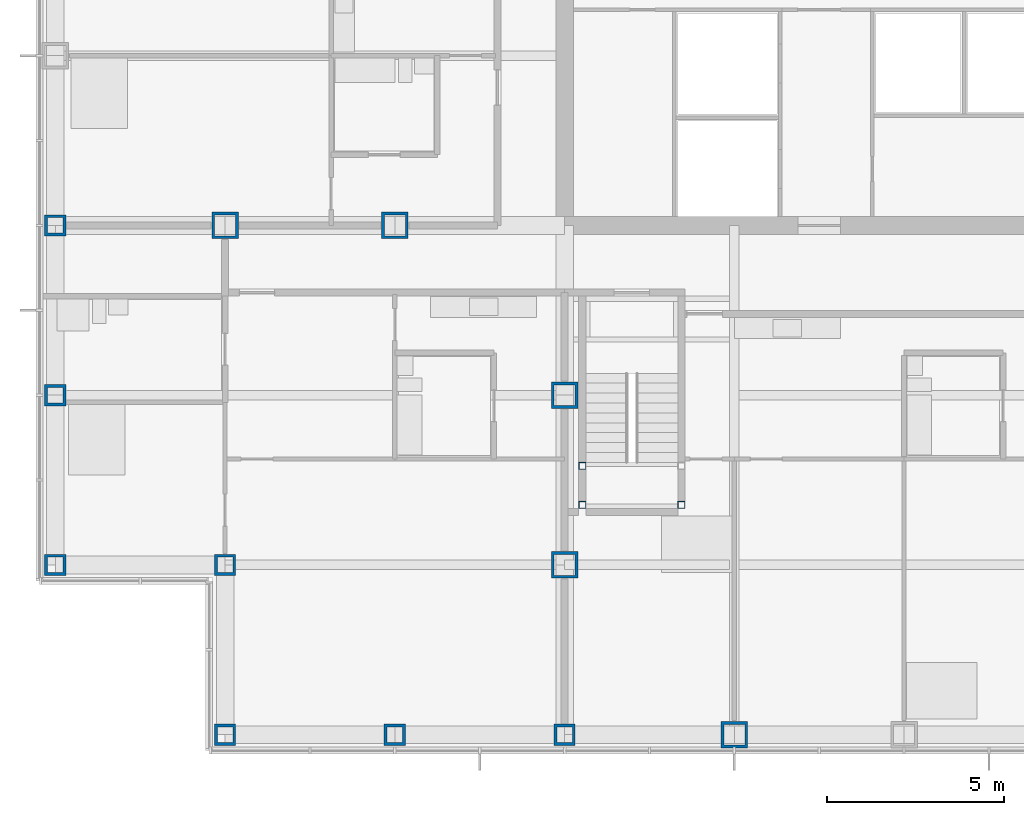
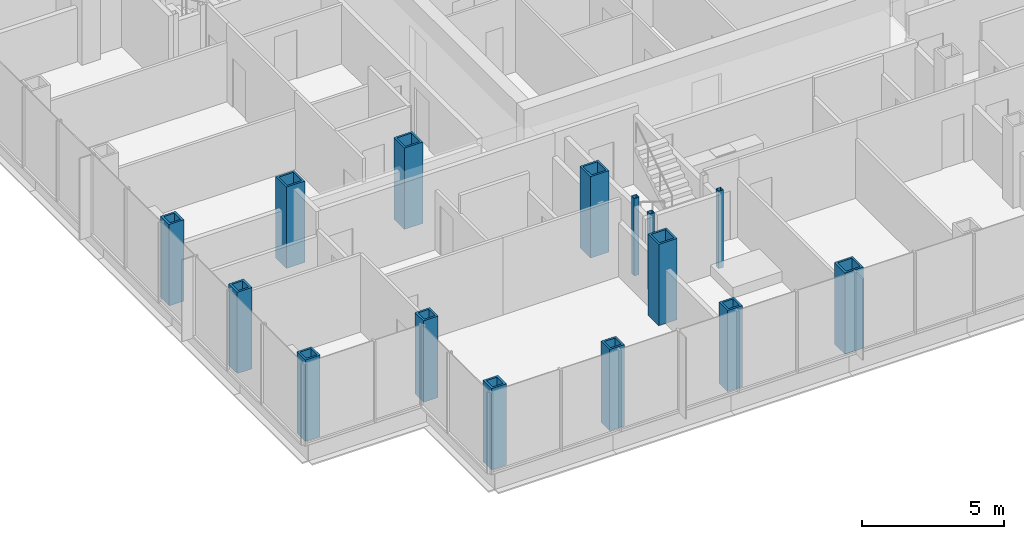
# One storey, part 1 of 21: 15 columns.
"""IFC4 building model written with IfcOpenShell, lengths in metres."""

from ifc_helpers import new_model, si_unit, direction, frame, origin, origin_2d, place, context, subcontext, project, spatial, hollow_rectangle, extrude, material, material_profile, profile_set, type_object, element, save


model = new_model("IFC4")

# Units and contexts
model_context = context("Model", 3, precision=1e-05, world=origin(), true_north=direction((0.0, 1.0)))
body_context = subcontext(model_context, "Body", "Model", "MODEL_VIEW")
ifc_project = project(units=[si_unit("LENGTHUNIT", "METRE"), si_unit("AREAUNIT", "SQUARE_METRE"), si_unit("VOLUMEUNIT", "CUBIC_METRE"), si_unit("PLANEANGLEUNIT", "RADIAN"), si_unit("MASSUNIT", "GRAM", prefix="KILO")], contexts=[model_context])

# Site, building, storey
site_placement = place(None, origin())
site = spatial("IfcSite", under=ifc_project, at=site_placement, CompositionType="ELEMENT")
building_placement = place(site_placement, origin())
building = spatial("IfcBuilding", under=site, at=building_placement, Name="Kvirike Care Tower", CompositionType="ELEMENT")
storey_placement = place(building_placement, frame((0.0, 0.0, 62.0)))
storey = spatial("IfcBuildingStorey", under=building, at=storey_placement, Name="L16", CompositionType="ELEMENT", Elevation=62.0)

# Columns
ifc_material_1 = material(Name="Steel S460", Category="steel")
ifc_material_profile_1 = material_profile(ifc_material_1, hollow_rectangle(XDim=0.60009765625, YDim=0.60009765625, WallThickness=0.080078125, at=origin_2d()), Name="BX 600x600x80")
ifc_profile_set_1 = profile_set([ifc_material_profile_1], Name="Steel S460")
column_type_1 = type_object("IfcColumnType", Name="COLUMN BX 600x600x80", PredefinedType="COLUMN", material=ifc_profile_set_1)
for number, where, z_axis, x_axis, name in (
    (1, (0.0, 19.199951171875, 0.0), (0.0, 0.0, 1.0), (0.0, 1.0, 0.0), "Column E3 L16"),
    (2, (0.0, 24.0, 0.0), (0.0, 0.0, 1.0), (1.0, 0.0, 0.0), "Column F3 L16"),
    (3, (0.0, 28.800048828125, 0.0), (0.0, 0.0, 1.0), (0.0, 1.0, 0.0), "Column G3 L16"),
    (4, (4.800048828125, 14.39990234375, 0.0), (0.0, 0.0, 1.0), (0.0, 1.0, 0.0), "Column D4 L16"),
    (5, (4.800048828125, 19.199951171875, 0.0), (0.0, 0.0, 1.0), (0.0, 1.0, 0.0), "Column E4 L16"),
    (6, (9.60009765625, 14.39990234375, 0.0), (0.0, 0.0, 1.0), (0.0, 1.0, 0.0), "Column D5 L16"),
    (7, (14.39990234375, 14.39990234375, 0.0), (0.0, 0.0, 1.0), (0.0, 1.0, 0.0), "Column D6 L16"),
):
    element("IfcColumn", number, at=place(storey_placement, frame(where, z_axis=z_axis, x_axis=x_axis)), inside=storey, type_object=column_type_1, Name=name, PredefinedType="COLUMN", context=body_context, shape_type="SweptSolid", body=[
        extrude(hollow_rectangle(XDim=0.60009765625, YDim=0.60009765625, WallThickness=0.080078125, at=origin_2d()), origin(), (0.0, 0.0, 1.0), 3.5),
    ])
ifc_material_2 = material(Name="Steel S460", Category="steel")
ifc_material_profile_2 = material_profile(ifc_material_2, hollow_rectangle(XDim=0.75, YDim=0.75, WallThickness=0.080078125, at=origin_2d()), Name="BX 750x750x80")
ifc_profile_set_2 = profile_set([ifc_material_profile_2], Name="Steel S460")
column_type_2 = type_object("IfcColumnType", Name="COLUMN BX 750x750x80", PredefinedType="COLUMN", material=ifc_profile_set_2)
for number, where, z_axis, x_axis, name in (
    (8, (4.800048828125, 28.800048828125, 0.0), (0.0, 0.0, 1.0), (0.0, 1.0, 0.0), "Column G4 L16"),
    (9, (9.60009765625, 28.800048828125, 0.0), (0.0, 0.0, 1.0), (0.0, 1.0, 0.0), "Column G5 L16"),
    (10, (14.39990234375, 19.199951171875, 0.0), (0.0, 0.0, 1.0), (1.0, 0.0, 0.0), "Column E6 L16"),
    (11, (14.39990234375, 24.0, 0.0), (0.0, 0.0, 1.0), (1.0, 0.0, 0.0), "Column F6 L16"),
    (12, (19.199951171875, 14.39990234375, 0.0), (0.0, 0.0, 1.0), (0.0, 1.0, 0.0), "Column D7 L16"),
):
    element("IfcColumn", number, at=place(storey_placement, frame(where, z_axis=z_axis, x_axis=x_axis)), inside=storey, type_object=column_type_2, Name=name, PredefinedType="COLUMN", context=body_context, shape_type="SweptSolid", body=[
        extrude(hollow_rectangle(XDim=0.75, YDim=0.75, WallThickness=0.080078125, at=origin_2d()), origin(), (0.0, 0.0, 1.0), 3.5),
    ])
ifc_material_3 = material(Name="Steel S460", Category="steel")
ifc_material_profile_3 = material_profile(ifc_material_3, hollow_rectangle(XDim=0.199951171875, YDim=0.199951171875, WallThickness=0.008056640625, at=origin_2d()), Name="SHS 200x200x8")
ifc_profile_set_3 = profile_set([ifc_material_profile_3], Name="Steel S460")
column_type_3 = type_object("IfcColumnType", Name="STAIR POST SHS 200x200x8", PredefinedType="COLUMN", material=ifc_profile_set_3)
for number, where, z_axis, x_axis, name in (
    (13, (14.89990234375, 20.89990234375, 0.0), (0.0, 0.0, 1.0), (1.0, 0.0, 0.0), "Stair 5 post 1 L16"),
    (14, (17.699951171875, 20.89990234375, 0.0), (0.0, 0.0, 1.0), (1.0, 0.0, 0.0), "Stair 5 post 2 L16"),
    (15, (14.89990234375, 22.0, 0.0), (0.0, 0.0, 1.0), (1.0, 0.0, 0.0), "Stair 5 post 3 L16"),
):
    element("IfcColumn", number, at=place(storey_placement, frame(where, z_axis=z_axis, x_axis=x_axis)), inside=storey, type_object=column_type_3, Name=name, PredefinedType="COLUMN", context=body_context, shape_type="SweptSolid", body=[
        extrude(hollow_rectangle(XDim=0.199951171875, YDim=0.199951171875, WallThickness=0.008056640625, at=origin_2d()), origin(), (0.0, 0.0, 1.0), 3.330078125),
    ])

save(model, "model.ifc")
